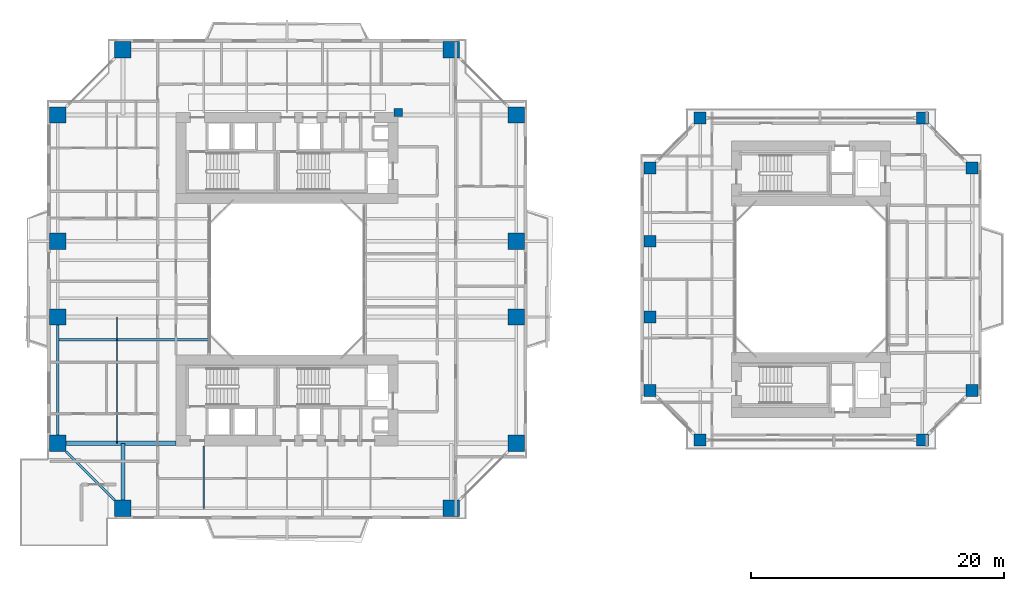
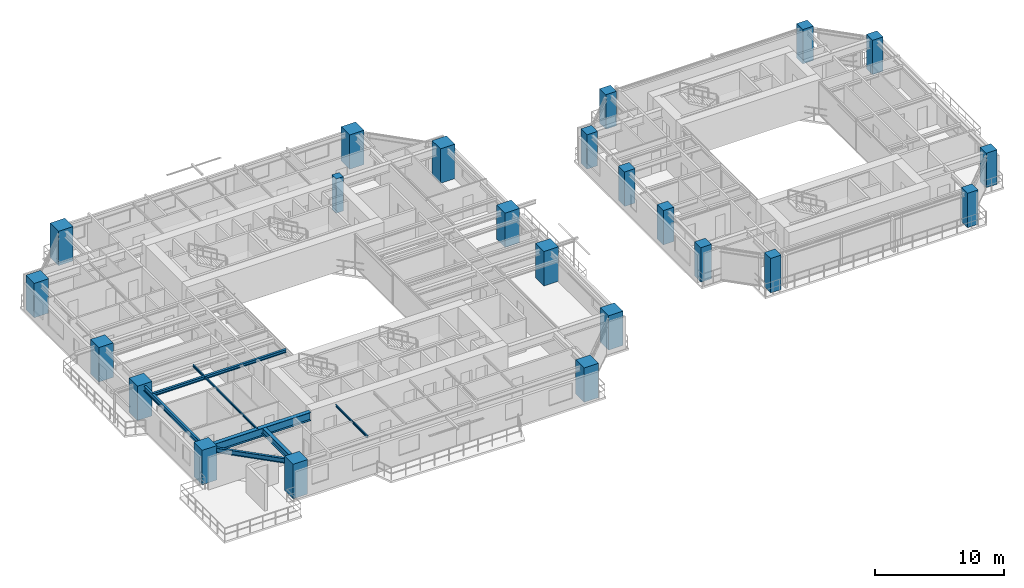
# One storey, part 1 of 24: 23 columns, 7 beams.
"""IFC4 building model written with IfcOpenShell, lengths in metres."""

from ifc_helpers import new_model, si_unit, direction, frame, origin, origin_2d, place, context, subcontext, project, spatial, rectangle, i_section, extrude, source, transform, mapped, material, material_profile, profile_set, type_object, element, save


model = new_model("IFC4")

# Units and contexts
model_context = context("Model", 3, precision=1e-05, world=origin(), true_north=direction((0.0, 1.0)))
body_context = subcontext(model_context, "Body", "Model", "MODEL_VIEW")
ifc_project = project(units=[si_unit("LENGTHUNIT", "METRE"), si_unit("AREAUNIT", "SQUARE_METRE"), si_unit("VOLUMEUNIT", "CUBIC_METRE"), si_unit("PLANEANGLEUNIT", "RADIAN"), si_unit("MASSUNIT", "GRAM", prefix="KILO"), si_unit("THERMODYNAMICTEMPERATUREUNIT", "KELVIN"), si_unit("POWERUNIT", "WATT")], contexts=[model_context])

# Site, building, storey
site_placement = place(None, origin())
site = spatial("IfcSite", under=ifc_project, at=site_placement, CompositionType="ELEMENT")
building_placement = place(site_placement, origin())
building = spatial("IfcBuilding", under=site, at=building_placement, Name="Qiaomeng Ring Towers", CompositionType="ELEMENT")
storey_placement = place(building_placement, frame((0.0, 0.0, 63.25)))
storey = spatial("IfcBuildingStorey", under=building, at=storey_placement, Name="L17", CompositionType="ELEMENT", Elevation=63.25)

# Columns
ifc_material_1 = material(Name="Concrete C50", Category="concrete")
ifc_material_profile_1 = material_profile(ifc_material_1, rectangle(XDim=0.64990234375, YDim=0.64990234375, at=origin_2d()), Name="RC COL 650x650")
ifc_profile_set_1 = profile_set([ifc_material_profile_1], Name="Concrete C50")
column_type_1 = type_object("IfcColumnType", Name="STR-PIL-650", PredefinedType="PILASTER", material=ifc_profile_set_1)
shared_shape_1 = source(origin(), body_context, "Body", "SweptSolid", [
    extrude(rectangle(XDim=0.64990234375, YDim=0.64990234375, at=origin_2d()), origin(), (0.0, 0.0, 1.0), 3.25),
])
column_placement = place(storey_placement, frame((27.800048828125, 36.199951171875, 0.0), z_axis=(0.0, 0.0, 1.0), x_axis=(1.0, 0.0, 0.0)))
element("IfcColumn", 1, at=column_placement, inside=storey, type_object=column_type_1, Name="L17 column STR-PIL-L17-N", PredefinedType="PILASTER", context=body_context, shape_type="MappedRepresentation", body=[
    mapped(shared_shape_1, transform((0.0, 0.0, 0.0), x_axis=(1.0, 0.0, 0.0), y_axis=(0.0, 1.0, 0.0), z_axis=(0.0, 0.0, 1.0), scale=1.0)),
])
ifc_material_2 = material(Name="Concrete C60", Category="concrete")
ifc_material_profile_2 = material_profile(ifc_material_2, rectangle(XDim=1.300048828125, YDim=1.300048828125, at=origin_2d()), Name="RC COL 1300x1300")
ifc_profile_set_2 = profile_set([ifc_material_profile_2], Name="Concrete C60")
column_type_2 = type_object("IfcColumnType", Name="STR-COL-1300", PredefinedType="COLUMN", material=ifc_profile_set_2)
shared_shape_2 = source(origin(), body_context, "Body", "SweptSolid", [
    extrude(rectangle(XDim=1.300048828125, YDim=1.300048828125, at=origin_2d()), origin(), (0.0, 0.0, 1.0), 3.25),
])
for number, where, z_axis, x_axis, name in (
    (2, (6.0, 4.85009765625, 0.0), (0.0, 0.0, 1.0), (1.0, 0.0, 0.0), "L17 column STR-COL-L17-T1-S1"),
    (3, (32.0, 4.85009765625, 0.0), (0.0, 0.0, 1.0), (1.0, 0.0, 0.0), "L17 column STR-COL-L17-T1-S2"),
    (4, (37.14990234375, 10.0, 0.0), (0.0, 0.0, 1.0), (1.0, 0.0, 0.0), "L17 column STR-COL-L17-T1-E1"),
    (5, (37.14990234375, 20.0, 0.0), (0.0, 0.0, 1.0), (1.0, 0.0, 0.0), "L17 column STR-COL-L17-T1-E2"),
    (6, (37.14990234375, 26.0, 0.0), (0.0, 0.0, 1.0), (1.0, 0.0, 0.0), "L17 column STR-COL-L17-T1-E3"),
    (7, (37.14990234375, 36.0, 0.0), (0.0, 0.0, 1.0), (1.0, 0.0, 0.0), "L17 column STR-COL-L17-T1-E4"),
    (8, (32.0, 41.14990234375, 0.0), (0.0, 0.0, 1.0), (1.0, 0.0, 0.0), "L17 column STR-COL-L17-T1-N2"),
    (9, (6.0, 41.14990234375, 0.0), (0.0, 0.0, 1.0), (1.0, 0.0, 0.0), "L17 column STR-COL-L17-T1-N1"),
    (10, (0.85009765625, 36.0, 0.0), (0.0, 0.0, 1.0), (1.0, 0.0, 0.0), "L17 column STR-COL-L17-T1-W4"),
    (11, (0.85009765625, 26.0, 0.0), (0.0, 0.0, 1.0), (1.0, 0.0, 0.0), "L17 column STR-COL-L17-T1-W3"),
    (12, (0.85009765625, 20.0, 0.0), (0.0, 0.0, 1.0), (1.0, 0.0, 0.0), "L17 column STR-COL-L17-T1-W2"),
    (13, (0.85009765625, 10.0, 0.0), (0.0, 0.0, 1.0), (1.0, 0.0, 0.0), "L17 column STR-COL-L17-T1-W1"),
):
    element("IfcColumn", number, at=place(storey_placement, frame(where, z_axis=z_axis, x_axis=x_axis)), inside=storey, type_object=column_type_2, Name=name, PredefinedType="COLUMN", context=body_context, shape_type="MappedRepresentation", body=[
        mapped(shared_shape_2, transform((0.0, 0.0, 0.0), x_axis=(1.0, 0.0, 0.0), y_axis=(0.0, 1.0, 0.0), z_axis=(0.0, 0.0, 1.0), scale=1.0)),
    ])
ifc_material_profile_3 = material_profile(ifc_material_2, rectangle(XDim=0.949951171875, YDim=0.949951171875, at=origin_2d()), Name="RC COL 950x950")
ifc_profile_set_3 = profile_set([ifc_material_profile_3], Name="Concrete C60")
column_type_3 = type_object("IfcColumnType", Name="STR-COL-950-C60", PredefinedType="COLUMN", material=ifc_profile_set_3)
shared_shape_3 = source(origin(), body_context, "Body", "SweptSolid", [
    extrude(rectangle(XDim=0.949951171875, YDim=0.949951171875, at=origin_2d()), origin(), (0.0, 0.0, 1.0), 3.25),
])
for number, where, z_axis, x_axis, name in (
    (14, (51.699951171875, 10.25, 0.0), (0.0, 0.0, 1.0), (1.0, 0.0, 0.0), "L17 column STR-COL-L17-T2-S1"),
    (15, (69.300048828125, 10.25, 0.0), (0.0, 0.0, 1.0), (1.0, 0.0, 0.0), "L17 column STR-COL-L17-T2-S2"),
    (16, (73.25, 14.199951171875, 0.0), (0.0, 0.0, 1.0), (1.0, 0.0, 0.0), "L17 column STR-COL-L17-T2-E1"),
    (17, (73.25, 31.800048828125, 0.0), (0.0, 0.0, 1.0), (1.0, 0.0, 0.0), "L17 column STR-COL-L17-T2-E2"),
    (18, (69.300048828125, 35.75, 0.0), (0.0, 0.0, 1.0), (1.0, 0.0, 0.0), "L17 column STR-COL-L17-T2-N2"),
    (19, (51.699951171875, 35.75, 0.0), (0.0, 0.0, 1.0), (1.0, 0.0, 0.0), "L17 column STR-COL-L17-T2-N1"),
    (20, (47.75, 14.199951171875, 0.0), (0.0, 0.0, 1.0), (1.0, 0.0, 0.0), "L17 column STR-COL-L17-T2-W1"),
    (21, (47.75, 20.0, 0.0), (0.0, 0.0, 1.0), (1.0, 0.0, 0.0), "L17 column STR-COL-L17-T2-W2"),
    (22, (47.75, 26.0, 0.0), (0.0, 0.0, 1.0), (1.0, 0.0, 0.0), "L17 column STR-COL-L17-T2-W3"),
    (23, (47.75, 31.800048828125, 0.0), (0.0, 0.0, 1.0), (1.0, 0.0, 0.0), "L17 column STR-COL-L17-T2-W4"),
):
    element("IfcColumn", number, at=place(storey_placement, frame(where, z_axis=z_axis, x_axis=x_axis)), inside=storey, type_object=column_type_3, Name=name, PredefinedType="COLUMN", context=body_context, shape_type="MappedRepresentation", body=[
        mapped(shared_shape_3, transform((0.0, 0.0, 0.0), x_axis=(1.0, 0.0, 0.0), y_axis=(0.0, 1.0, 0.0), z_axis=(0.0, 0.0, 1.0), scale=1.0)),
    ])

# Beams
ifc_material_3 = material(Name="Steel Q355B", Category="steel")
ifc_material_profile_4 = material_profile(ifc_material_3, i_section(OverallWidth=0.199951171875, OverallDepth=0.449951171875, WebThickness=0.009033203125, FlangeThickness=0.013916015625, FilletRadius=0.01806640625, at=origin_2d()), Name="HN 450x200x9x14")
ifc_profile_set_4 = profile_set([ifc_material_profile_4], Name="Steel Q355B")
beam_type_1 = type_object("IfcBeamType", Name="STR-BM-HN450", PredefinedType="SPANDREL", material=ifc_profile_set_4)
shared_shape_4 = source(origin(), body_context, "Body", "SweptSolid", [
    extrude(i_section(OverallWidth=0.199951171875, OverallDepth=0.449951171875, WebThickness=0.009033203125, FlangeThickness=0.013916015625, FilletRadius=0.01806640625, at=origin_2d()), origin(), (0.0, 0.0, 1.0), 5.446533203125),
])
beam_1_placement = place(storey_placement, frame((1.499267578125, 9.3505859375, 2.844970703125), z_axis=(0.707106781187, -0.707106781187, 0.0), x_axis=(0.707106781187, 0.707106781187, 0.0)))
element("IfcBeam", 24, at=beam_1_placement, inside=storey, type_object=beam_type_1, Name="L17 beam STR-SP-L17-T1-W1-S1", PredefinedType="SPANDREL", context=body_context, shape_type="MappedRepresentation", body=[
    mapped(shared_shape_4, transform((0.0, 0.0, 0.0), x_axis=(1.0, 0.0, 0.0), y_axis=(0.0, 1.0, 0.0), z_axis=(0.0, 0.0, 1.0), scale=1.0)),
])
shared_shape_5 = source(origin(), body_context, "Body", "SweptSolid", [
    extrude(i_section(OverallWidth=0.199951171875, OverallDepth=0.449951171875, WebThickness=0.009033203125, FlangeThickness=0.013916015625, FilletRadius=0.01806640625, at=origin_2d()), origin(), (0.0, 0.0, 1.0), 8.7021484375),
])
beam_2_placement = place(storey_placement, frame((0.85009765625, 19.35107421875, 2.844970703125), z_axis=(0.0, -1.0, 0.0), x_axis=(1.0, 0.0, 0.0)))
element("IfcBeam", 25, at=beam_2_placement, inside=storey, type_object=beam_type_1, Name="L17 beam STR-SP-L17-T1-W2-W1", PredefinedType="SPANDREL", context=body_context, shape_type="MappedRepresentation", body=[
    mapped(shared_shape_5, transform((0.0, 0.0, 0.0), x_axis=(1.0, 0.0, 0.0), y_axis=(0.0, 1.0, 0.0), z_axis=(0.0, 0.0, 1.0), scale=1.0)),
])
ifc_material_4 = material(Name="Steel Q390GJC", Category="steel")
ifc_material_profile_5 = material_profile(ifc_material_4, i_section(OverallWidth=0.35009765625, OverallDepth=0.800048828125, WebThickness=0.01611328125, FlangeThickness=0.028076171875, at=origin_2d()), Name="WH 800x350x16x28")
ifc_profile_set_5 = profile_set([ifc_material_profile_5], Name="Steel Q390GJC")
beam_type_2 = type_object("IfcBeamType", Name="STR-BM-WH800", PredefinedType="BEAM", material=ifc_profile_set_5)
shared_shape_6 = source(origin(), body_context, "Body", "SweptSolid", [
    extrude(i_section(OverallWidth=0.35009765625, OverallDepth=0.800048828125, WebThickness=0.01611328125, FlangeThickness=0.028076171875, at=origin_2d()), origin(), (0.0, 0.0, 1.0), 8.700927734375),
])
beam_3_placement = place(storey_placement, frame((1.4990234375, 10.0, 2.669921875), z_axis=(1.0, 0.0, 0.0), x_axis=(0.0, 1.0, 0.0)))
element("IfcBeam", 26, at=beam_3_placement, inside=storey, type_object=beam_type_2, Name="L17 beam STR-BM-L17-T1-RAD-W1", PredefinedType="BEAM", context=body_context, shape_type="MappedRepresentation", body=[
    mapped(shared_shape_6, transform((0.0, 0.0, 0.0), x_axis=(1.0, 0.0, 0.0), y_axis=(0.0, 1.0, 0.0), z_axis=(0.0, 0.0, 1.0), scale=1.0)),
])
ifc_material_profile_6 = material_profile(ifc_material_3, i_section(OverallWidth=0.300048828125, OverallDepth=0.587890625, WebThickness=0.011962890625, FlangeThickness=0.02001953125, FilletRadius=0.028076171875, at=origin_2d()), Name="HM 588x300x12x20")
ifc_profile_set_6 = profile_set([ifc_material_profile_6], Name="Steel Q355B")
beam_type_3 = type_object("IfcBeamType", Name="STR-BM-HM588", PredefinedType="BEAM", material=ifc_profile_set_6)
shared_shape_7 = source(origin(), body_context, "Body", "SweptSolid", [
    extrude(i_section(OverallWidth=0.300048828125, OverallDepth=0.587890625, WebThickness=0.011962890625, FlangeThickness=0.02001953125, FilletRadius=0.028076171875, at=origin_2d()), origin(), (0.0, 0.0, 1.0), 4.5009765625),
])
beam_4_placement = place(storey_placement, frame((6.0, 5.4990234375, 2.77587890625), z_axis=(0.0, 1.0, 0.0), x_axis=(-1.0, 0.0, 0.0)))
element("IfcBeam", 27, at=beam_4_placement, inside=storey, type_object=beam_type_3, Name="L17 beam STR-BM-L17-T1-RAD-S1", PredefinedType="BEAM", context=body_context, shape_type="MappedRepresentation", body=[
    mapped(shared_shape_7, transform((0.0, 0.0, 0.0), x_axis=(1.0, 0.0, 0.0), y_axis=(0.0, 1.0, 0.0), z_axis=(0.0, 0.0, 1.0), scale=1.0)),
])
ifc_material_profile_7 = material_profile(ifc_material_3, i_section(OverallWidth=0.10009765625, OverallDepth=0.199951171875, WebThickness=0.005615234375, FlangeThickness=0.008056640625, FilletRadius=0.010986328125, at=origin_2d()), Name="HN 200x100x5.5x8")
ifc_profile_set_7 = profile_set([ifc_material_profile_7], Name="Steel Q355B")
beam_type_4 = type_object("IfcBeamType", Name="STR-BM-HN200", PredefinedType="JOIST", material=ifc_profile_set_7)
shared_shape_8 = source(origin(), body_context, "Body", "SweptSolid", [
    extrude(i_section(OverallWidth=0.10009765625, OverallDepth=0.199951171875, WebThickness=0.005615234375, FlangeThickness=0.008056640625, FilletRadius=0.010986328125, at=origin_2d()), origin(), (0.0, 0.0, 1.0), 4.949951171875),
])
beam_5_placement = place(storey_placement, frame((12.39990234375, 4.85009765625, 2.969970703125), z_axis=(0.0, 1.0, 0.0), x_axis=(-1.0, 0.0, 0.0)))
element("IfcBeam", 28, at=beam_5_placement, inside=storey, type_object=beam_type_4, Name="L17 beam STR-JST-L17-T1S-1", PredefinedType="JOIST", context=body_context, shape_type="MappedRepresentation", body=[
    mapped(shared_shape_8, transform((0.0, 0.0, 0.0), x_axis=(1.0, 0.0, 0.0), y_axis=(0.0, 1.0, 0.0), z_axis=(0.0, 0.0, 1.0), scale=1.0)),
])
ifc_material_profile_8 = material_profile(ifc_material_3, i_section(OverallWidth=0.199951171875, OverallDepth=0.2939453125, WebThickness=0.008056640625, FlangeThickness=0.011962890625, FilletRadius=0.01806640625, at=origin_2d()), Name="HM 294x200x8x12")
ifc_profile_set_8 = profile_set([ifc_material_profile_8], Name="Steel Q355B")
beam_type_5 = type_object("IfcBeamType", Name="STR-BM-HM294", PredefinedType="JOIST", material=ifc_profile_set_8)
shared_shape_9 = source(origin(), body_context, "Body", "SweptSolid", [
    extrude(i_section(OverallWidth=0.199951171875, OverallDepth=0.2939453125, WebThickness=0.008056640625, FlangeThickness=0.011962890625, FilletRadius=0.01806640625, at=origin_2d()), origin(), (0.0, 0.0, 1.0), 11.949951171875),
])
beam_6_placement = place(storey_placement, frame((0.85009765625, 18.199951171875, 2.923095703125), z_axis=(1.0, 0.0, 0.0), x_axis=(0.0, 1.0, 0.0)))
element("IfcBeam", 29, at=beam_6_placement, inside=storey, type_object=beam_type_5, Name="L17 beam STR-JST-L17-T1W-1", PredefinedType="JOIST", context=body_context, shape_type="MappedRepresentation", body=[
    mapped(shared_shape_9, transform((0.0, 0.0, 0.0), x_axis=(1.0, 0.0, 0.0), y_axis=(0.0, 1.0, 0.0), z_axis=(0.0, 0.0, 1.0), scale=1.0)),
])
shared_shape_10 = source(origin(), body_context, "Body", "SweptSolid", [
    extrude(i_section(OverallWidth=0.10009765625, OverallDepth=0.199951171875, WebThickness=0.005615234375, FlangeThickness=0.008056640625, FilletRadius=0.010986328125, at=origin_2d()), origin(), (0.0, 0.0, 1.0), 10.0),
])
beam_7_placement = place(storey_placement, frame((5.52490234375, 10.0, 2.969970703125), z_axis=(0.0, 1.0, 0.0), x_axis=(-1.0, 0.0, 0.0)))
element("IfcBeam", 30, at=beam_7_placement, inside=storey, type_object=beam_type_4, Name="L17 beam STR-JST-L17-T1C-WS", PredefinedType="JOIST", context=body_context, shape_type="MappedRepresentation", body=[
    mapped(shared_shape_10, transform((0.0, 0.0, 0.0), x_axis=(1.0, 0.0, 0.0), y_axis=(0.0, 1.0, 0.0), z_axis=(0.0, 0.0, 1.0), scale=1.0)),
])

save(model, "model.ifc")
